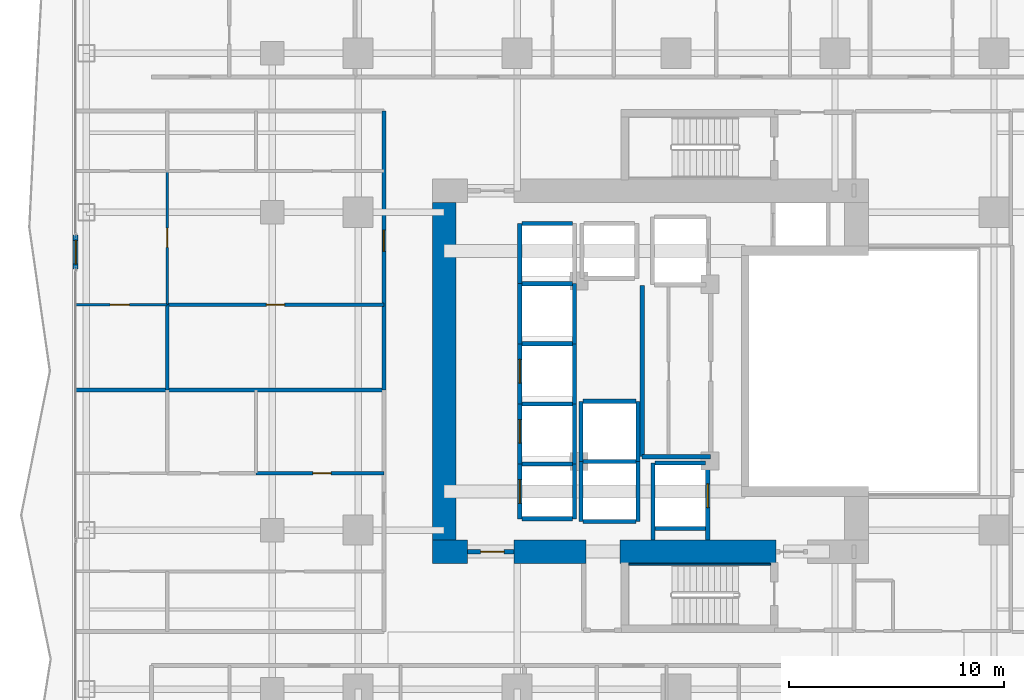
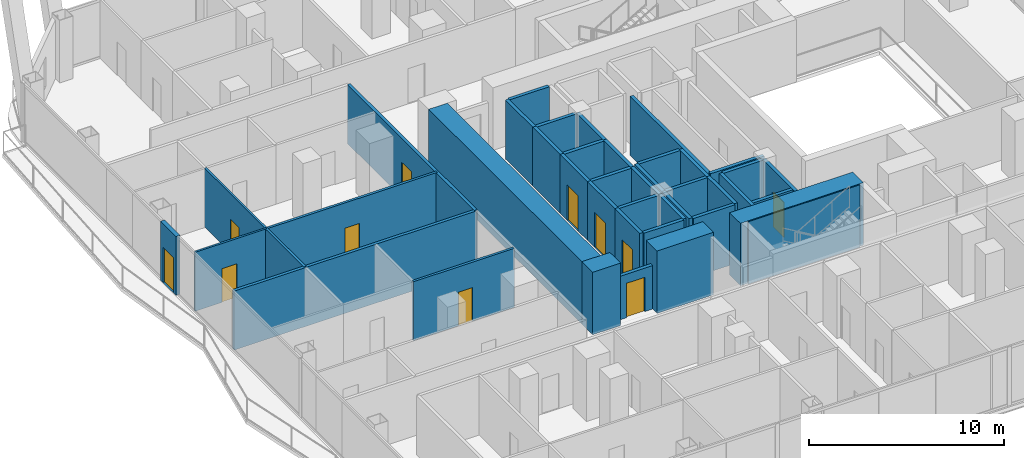
# One storey, part 24 of 33: 42 walls, 11 doors, 11 openings.
"""IFC4 building model written with IfcOpenShell, lengths in metres."""

from ifc_helpers import new_model, si_unit, direction, frame, frame_2d, origin, place, context, subcontext, project, spatial, rectangle, extrude, material, layer, layer_set, type_object, element, fill, save


model = new_model("IFC4")

# Units and contexts
model_context = context("Model", 3, precision=1e-05, world=origin(), true_north=direction((0.0, 1.0)))
body_context = subcontext(model_context, "Body", "Model", "MODEL_VIEW")
ifc_project = project(units=[si_unit("LENGTHUNIT", "METRE"), si_unit("AREAUNIT", "SQUARE_METRE"), si_unit("VOLUMEUNIT", "CUBIC_METRE"), si_unit("PLANEANGLEUNIT", "RADIAN"), si_unit("MASSUNIT", "GRAM", prefix="KILO")], contexts=[model_context])

# Site, building, storey
site_placement = place(None, origin())
site = spatial("IfcSite", under=ifc_project, at=site_placement, CompositionType="ELEMENT")
building_placement = place(site_placement, origin())
building = spatial("IfcBuilding", under=site, at=building_placement, Name="Khorvyn Point Tower", CompositionType="ELEMENT")
storey_placement = place(building_placement, frame((0.0, 0.0, 65.699951171875)))
storey = spatial("IfcBuildingStorey", under=building, at=storey_placement, Name="L17", CompositionType="ELEMENT", Elevation=65.699951171875)

# Wall, opening, door
ifc_material_1 = material(Name="Double acoustic gypsum on twin steel stud", Category="steel")
ifc_layer_1 = layer(ifc_material_1, 0.179931640625)
ifc_layer_set_1 = layer_set([ifc_layer_1], Name="Acoustic Double-Stud Apartment Demising Wall 180")
wall_type_1 = type_object("IfcWallType", Name="Acoustic Double-Stud Apartment Demising Wall 180", PredefinedType="PARTITIONING", material=ifc_layer_set_1)
wall_1_placement = place(storey_placement, frame((-13.60009765625, -0.873046875, 0.0), z_axis=(0.0, 0.0, 1.0), x_axis=(0.0, 1.0, 0.0)))
wall_1 = element("IfcWall", 1, at=wall_1_placement, inside=storey, type_object=wall_type_1, Name="Wall", PredefinedType="PARTITIONING", context=body_context, shape_type="SweptSolid", body=[
    extrude(rectangle(XDim=12.9931640625, YDim=0.179931640625, at=frame_2d((6.49658203125, 0.0))), origin(), (0.0, 0.0, 1.0), 3.679931640625),
])
opening_1_placement = place(wall_1_placement, frame((6.445556640625, 0.0, 0.0)))
opening_1 = element("IfcOpeningElement", 2, at=opening_1_placement, cuts=wall_1, Name="Opening ID-AP60", PredefinedType="OPENING", context=body_context, shape_type="SweptSolid", body=[
    extrude(rectangle(XDim=1.0, YDim=2.199951171875, at=frame_2d((0.5, 1.10009765625))), frame((0.0, 0.099853515625, 0.0), z_axis=(0.0, -1.0, 0.0), x_axis=(1.0, 0.0, 0.0)), (0.0, 0.0, 1.0), 0.199951171875),
])
ifc_material_2 = material(Name="Engineered hardwood fire-rated leaf", Category="wood")
door_type_1 = type_object("IfcDoorType", Name="Acoustic Solid-Core Timber Apartment Entrance Door 1000x2200", OperationType="NOTDEFINED", PredefinedType="DOOR", material=ifc_material_2)
door_1_placement = place(opening_1_placement, origin())
door_1 = element("IfcDoor", 3, at=door_1_placement, inside=storey, type_object=door_type_1, Name="Door", OperationType="SINGLE_SWING_RIGHT", OverallHeight=2.199951171875, OverallWidth=1.0, PredefinedType="DOOR", context=body_context, shape_type="SweptSolid", body=[
    extrude(rectangle(XDim=1.0, YDim=2.199951171875, at=frame_2d((0.5, 1.10009765625))), frame((0.0, 0.02490234375, 0.0), z_axis=(0.0, -1.0, 0.0), x_axis=(1.0, 0.0, 0.0)), (0.0, 0.0, 1.0), 0.050048828125),
])
fill(opening_1, door_1)

# Wall
wall_2_placement = place(storey_placement, frame((-27.929931640625, -0.873046875, 0.0), z_axis=(0.0, 0.0, 1.0), x_axis=(1.0, 0.0, 0.0)))
element("IfcWall", 4, at=wall_2_placement, inside=storey, type_object=wall_type_1, Name="Wall", PredefinedType="PARTITIONING", context=body_context, shape_type="SweptSolid", body=[
    extrude(rectangle(XDim=14.329833984375, YDim=0.179931640625, at=frame_2d((7.1650390625, 0.0))), origin(), (0.0, 0.0, 1.0), 3.679931640625),
])

# Wall, opening, door
ifc_material_3 = material(Name="Pale anodised aluminium rainscreen on steel stud", Category="steel")
ifc_layer_2 = layer(ifc_material_3, 0.239990234375)
ifc_layer_set_2 = layer_set([ifc_layer_2], Name="Anodised Aluminium Insulated Corner Spandrel Wall 240")
wall_type_2 = type_object("IfcWallType", Name="Anodised Aluminium Insulated Corner Spandrel Wall 240", PredefinedType="SOLIDWALL", material=ifc_layer_set_2)
wall_3_placement = place(storey_placement, frame((-27.949951171875, 4.7490234375, 0.0), z_axis=(0.0, 0.0, 1.0), x_axis=(0.0, 1.0, 0.0)))
wall_3 = element("IfcWall", 5, at=wall_3_placement, inside=storey, type_object=wall_type_2, Name="L17 West Outdoor Threshold Wall", PredefinedType="SOLIDWALL", context=body_context, shape_type="SweptSolid", body=[
    extrude(rectangle(XDim=1.580078125, YDim=0.239990234375, at=frame_2d((0.7900390625, 0.0))), origin(), (0.0, 0.0, 1.0), 3.679931640625),
])
opening_2_placement = place(wall_3_placement, frame((0.239990234375, 0.0, 0.0)))
opening_2 = element("IfcOpeningElement", 6, at=opening_2_placement, cuts=wall_3, Name="Opening BD-1122", PredefinedType="OPENING", context=body_context, shape_type="SweptSolid", body=[
    extrude(rectangle(XDim=1.10009765625, YDim=2.199951171875, at=frame_2d((0.550048828125, 1.10009765625))), frame((0.0, 0.1298828125, 0.0), z_axis=(0.0, -1.0, 0.0), x_axis=(1.0, 0.0, 0.0)), (0.0, 0.0, 1.0), 0.260009765625),
])
ifc_material_4 = material(Name="Anodised aluminium 6063-T6 and laminated Low-E glass", Category="aluminium")
door_type_2 = type_object("IfcDoorType", Name="Glazed Balcony and Terrace Threshold Door 1100x2200", OperationType="NOTDEFINED", PredefinedType="DOOR", material=ifc_material_4)
door_2_placement = place(opening_2_placement, origin())
door_2 = element("IfcDoor", 7, at=door_2_placement, inside=storey, type_object=door_type_2, Name="L17 West Glazed Balcony Outdoor Door", OperationType="SINGLE_SWING_RIGHT", OverallHeight=2.199951171875, OverallWidth=1.10009765625, PredefinedType="DOOR", context=body_context, shape_type="SweptSolid", body=[
    extrude(rectangle(XDim=1.10009765625, YDim=2.199951171875, at=frame_2d((0.550048828125, 1.10009765625))), frame((0.0, 0.02490234375, 0.0), z_axis=(0.0, -1.0, 0.0), x_axis=(1.0, 0.0, 0.0)), (0.0, 0.0, 1.0), 0.050048828125),
])
fill(opening_2, door_2)

ifc_material_5 = material(Name="Concrete C40/50", Category="concrete")
ifc_layer_3 = layer(ifc_material_5, 0.199951171875)
ifc_layer_set_3 = layer_set([ifc_layer_3], Name="Concrete C40/50 Fire-Lobby Compartment Wall 200")
wall_type_3 = type_object("IfcWallType", Name="Concrete C40/50 Fire-Lobby Compartment Wall 200", PredefinedType="SOLIDWALL", material=ifc_layer_set_3)
wall_4_placement = place(storey_placement, frame((-9.699951171875, -8.39990234375, 0.0), z_axis=(0.0, 0.0, 1.0), x_axis=(1.0, 0.0, 0.0)))
wall_4 = element("IfcWall", 8, at=wall_4_placement, inside=storey, type_object=wall_type_3, Name="Wall", PredefinedType="SOLIDWALL", context=body_context, shape_type="SweptSolid", body=[
    extrude(rectangle(XDim=2.14990234375, YDim=0.199951171875, at=frame_2d((1.074951171875, 0.0))), origin(), (0.0, 0.0, 1.0), 2.719970703125),
])
opening_3_placement = place(wall_4_placement, frame((0.597900390625, 0.0, 0.0)))
opening_3 = element("IfcOpeningElement", 9, at=opening_3_placement, cuts=wall_4, Name="Opening ID-FL90", PredefinedType="OPENING", context=body_context, shape_type="SweptSolid", body=[
    extrude(rectangle(XDim=1.10009765625, YDim=2.14990234375, at=frame_2d((0.550048828125, 1.074951171875))), frame((0.0, 0.10986328125, 0.0), z_axis=(0.0, -1.0, 0.0), x_axis=(1.0, 0.0, 0.0)), (0.0, 0.0, 1.0), 0.219970703125),
])
ifc_material_6 = material(Name="Galvanised powder-coated steel", Category="steel")
door_type_3 = type_object("IfcDoorType", Name="Fire-Rated Steel Lobby and Stair Door 1100x2150", OperationType="NOTDEFINED", PredefinedType="DOOR", material=ifc_material_6)
door_3_placement = place(opening_3_placement, origin())
door_3 = element("IfcDoor", 10, at=door_3_placement, inside=storey, type_object=door_type_3, Name="Door", OperationType="SINGLE_SWING_RIGHT", OverallHeight=2.14990234375, OverallWidth=1.10009765625, PredefinedType="DOOR", context=body_context, shape_type="SweptSolid", body=[
    extrude(rectangle(XDim=1.10009765625, YDim=2.14990234375, at=frame_2d((0.550048828125, 1.074951171875))), frame((0.0, 0.02490234375, 0.0), z_axis=(0.0, -1.0, 0.0), x_axis=(1.0, 0.0, 0.0)), (0.0, 0.0, 1.0), 0.050048828125),
])
fill(opening_3, door_3)

# Walls
wall_5_placement = place(storey_placement, frame((-1.580078125, -3.97998046875, 0.0), z_axis=(0.0, 0.0, 1.0), x_axis=(0.0, 1.0, 0.0)))
element("IfcWall", 11, at=wall_5_placement, inside=storey, type_object=wall_type_3, Name="Wall", PredefinedType="SOLIDWALL", context=body_context, shape_type="SweptSolid", body=[
    extrude(rectangle(XDim=7.9599609375, YDim=0.199951171875, at=frame_2d((3.97998046875, 0.0))), origin(), (0.0, 0.0, 1.0), 3.679931640625),
])
wall_6_placement = place(storey_placement, frame((-1.580078125, -3.97998046875, 0.0), z_axis=(0.0, 0.0, 1.0), x_axis=(1.0, 0.0, 0.0)))
element("IfcWall", 12, at=wall_6_placement, inside=storey, type_object=wall_type_3, Name="Wall", PredefinedType="SOLIDWALL", context=body_context, shape_type="SweptSolid", body=[
    extrude(rectangle(XDim=3.190185546875, YDim=0.199951171875, at=frame_2d((1.59521484375, 0.0))), origin(), (0.0, 0.0, 1.0), 3.679931640625),
])
ifc_layer_4 = layer(ifc_material_5, 0.25)
ifc_layer_set_4 = layer_set([ifc_layer_4], Name="Concrete C40/50 Stair Inner Cheek Structural Wall 250")
wall_type_4 = type_object("IfcWallType", Name="Concrete C40/50 Stair Inner Cheek Structural Wall 250", PredefinedType="SHEAR", material=ifc_layer_set_4)
wall_7_placement = place(storey_placement, frame((-2.199951171875, -8.987548828125, 0.0), z_axis=(0.0, 0.0, 1.0), x_axis=(1.0, 0.0, 0.0)))
element("IfcWall", 13, at=wall_7_placement, inside=storey, type_object=wall_type_4, Name="Wall", PredefinedType="SHEAR", context=body_context, shape_type="SweptSolid", body=[
    extrude(rectangle(XDim=6.599853515625, YDim=0.074951171875, at=frame_2d((3.2998046875, 0.0))), origin(), (0.0, 0.0, 1.0), 3.900146484375),
])

# Wall, opening, door
ifc_layer_5 = layer(ifc_material_5, 0.199951171875)
ifc_layer_set_5 = layer_set([ifc_layer_5], Name="Concrete C40/50 Structural Hoistway and Stair Shaft Wall 200")
wall_type_5 = type_object("IfcWallType", Name="Concrete C40/50 Structural Hoistway and Stair Shaft Wall 200", PredefinedType="SHEAR", material=ifc_layer_set_5)
wall_8_placement = place(storey_placement, frame((-7.27490234375, -6.875, 0.0), z_axis=(0.0, 0.0, 1.0), x_axis=(0.0, 1.0, 0.0)))
wall_8 = element("IfcWall", 14, at=wall_8_placement, inside=storey, type_object=wall_type_5, Name="Wall", PredefinedType="SHEAR", context=body_context, shape_type="SweptSolid", body=[
    extrude(rectangle(XDim=2.550048828125, YDim=0.199951171875, at=frame_2d((1.27490234375, 0.0))), origin(), (0.0, 0.0, 1.0), 3.679931640625),
])
opening_4_placement = place(wall_8_placement, frame((0.72509765625, 0.0, 0.0)))
opening_4 = element("IfcOpeningElement", 15, at=opening_4_placement, cuts=wall_8, Name="Opening LD-1122", PredefinedType="OPENING", context=body_context, shape_type="SweptSolid", body=[
    extrude(rectangle(XDim=1.10009765625, YDim=2.199951171875, at=frame_2d((0.550048828125, 1.10009765625))), frame((0.0, 0.10986328125, 0.0), z_axis=(0.0, -1.0, 0.0), x_axis=(1.0, 0.0, 0.0)), (0.0, 0.0, 1.0), 0.219970703125),
])
ifc_material_7 = material(Name="Stainless steel 1.4301", Category="steel")
door_type_4 = type_object("IfcDoorType", Name="Stainless Steel Automatic Sliding Lift Landing Door 1100x2200", OperationType="SLIDING_TO_LEFT", PredefinedType="DOOR", material=ifc_material_7)
door_4_placement = place(opening_4_placement, origin())
door_4 = element("IfcDoor", 16, at=door_4_placement, inside=storey, type_object=door_type_4, Name="L17 RL-01 Sliding Lift Landing Door", OperationType="SLIDING_TO_LEFT", OverallHeight=2.199951171875, OverallWidth=1.10009765625, PredefinedType="DOOR", context=body_context, shape_type="SweptSolid", body=[
    extrude(rectangle(XDim=1.10009765625, YDim=2.199951171875, at=frame_2d((0.550048828125, 1.10009765625))), frame((0.0, 0.02490234375, 0.0), z_axis=(0.0, -1.0, 0.0), x_axis=(1.0, 0.0, 0.0)), (0.0, 0.0, 1.0), 0.050048828125),
])
fill(opening_4, door_4)

# Walls
wall_9_placement = place(storey_placement, frame((-4.72509765625, -6.875, 0.0), z_axis=(0.0, 0.0, 1.0), x_axis=(0.0, 1.0, 0.0)))
element("IfcWall", 17, at=wall_9_placement, inside=storey, type_object=wall_type_5, Name="Wall", PredefinedType="SHEAR", context=body_context, shape_type="SweptSolid", body=[
    extrude(rectangle(XDim=2.550048828125, YDim=0.199951171875, at=frame_2d((1.27490234375, 0.0))), origin(), (0.0, 0.0, 1.0), 3.679931640625),
])
for number, where, z_axis, x_axis, name in (
    (18, (-7.175048828125, -6.875, 0.0), (0.0, 0.0, 1.0), (1.0, 0.0, 0.0), "Wall"),
    (19, (-7.175048828125, -4.324951171875, 0.0), (0.0, 0.0, 1.0), (1.0, 0.0, 0.0), "Wall"),
):
    element("IfcWall", number, at=place(storey_placement, frame(where, z_axis=z_axis, x_axis=x_axis)), inside=storey, type_object=wall_type_5, Name=name, PredefinedType="SHEAR", context=body_context, shape_type="SweptSolid", body=[
        extrude(rectangle(XDim=2.35009765625, YDim=0.199951171875, at=frame_2d((1.175048828125, 0.0))), origin(), (0.0, 0.0, 1.0), 3.679931640625),
    ])

# Wall, opening, door
wall_10_placement = place(storey_placement, frame((-7.27490234375, -4.324951171875, 0.0), z_axis=(0.0, 0.0, 1.0), x_axis=(0.0, 1.0, 0.0)))
wall_10 = element("IfcWall", 20, at=wall_10_placement, inside=storey, type_object=wall_type_5, Name="Wall", PredefinedType="SHEAR", context=body_context, shape_type="SweptSolid", body=[
    extrude(rectangle(XDim=2.800048828125, YDim=0.199951171875, at=frame_2d((1.39990234375, 0.0))), origin(), (0.0, 0.0, 1.0), 3.679931640625),
])
opening_5_placement = place(wall_10_placement, frame((0.97509765625, 0.0, 0.0)))
opening_5 = element("IfcOpeningElement", 21, at=opening_5_placement, cuts=wall_10, Name="Opening LD-1122", PredefinedType="OPENING", context=body_context, shape_type="SweptSolid", body=[
    extrude(rectangle(XDim=1.10009765625, YDim=2.199951171875, at=frame_2d((0.550048828125, 1.10009765625))), frame((0.0, 0.10986328125, 0.0), z_axis=(0.0, -1.0, 0.0), x_axis=(1.0, 0.0, 0.0)), (0.0, 0.0, 1.0), 0.219970703125),
])
door_5_placement = place(opening_5_placement, origin())
door_5 = element("IfcDoor", 22, at=door_5_placement, inside=storey, type_object=door_type_4, Name="L17 RL-02 Sliding Lift Landing Door", OperationType="SLIDING_TO_LEFT", OverallHeight=2.199951171875, OverallWidth=1.10009765625, PredefinedType="DOOR", context=body_context, shape_type="SweptSolid", body=[
    extrude(rectangle(XDim=1.10009765625, YDim=2.199951171875, at=frame_2d((0.550048828125, 1.10009765625))), frame((0.0, 0.02490234375, 0.0), z_axis=(0.0, -1.0, 0.0), x_axis=(1.0, 0.0, 0.0)), (0.0, 0.0, 1.0), 0.050048828125),
])
fill(opening_5, door_5)

# Walls
wall_11_placement = place(storey_placement, frame((-4.72509765625, -4.324951171875, 0.0), z_axis=(0.0, 0.0, 1.0), x_axis=(0.0, 1.0, 0.0)))
element("IfcWall", 23, at=wall_11_placement, inside=storey, type_object=wall_type_5, Name="Wall", PredefinedType="SHEAR", context=body_context, shape_type="SweptSolid", body=[
    extrude(rectangle(XDim=2.800048828125, YDim=0.199951171875, at=frame_2d((1.39990234375, 0.0))), origin(), (0.0, 0.0, 1.0), 3.679931640625),
])
wall_12_placement = place(storey_placement, frame((-7.175048828125, -1.52490234375, 0.0), z_axis=(0.0, 0.0, 1.0), x_axis=(1.0, 0.0, 0.0)))
element("IfcWall", 24, at=wall_12_placement, inside=storey, type_object=wall_type_5, Name="Wall", PredefinedType="SHEAR", context=body_context, shape_type="SweptSolid", body=[
    extrude(rectangle(XDim=2.35009765625, YDim=0.199951171875, at=frame_2d((1.175048828125, 0.0))), origin(), (0.0, 0.0, 1.0), 3.679931640625),
])

# Wall, opening, door
wall_13_placement = place(storey_placement, frame((-7.27490234375, -1.52490234375, 0.0), z_axis=(0.0, 0.0, 1.0), x_axis=(0.0, 1.0, 0.0)))
wall_13 = element("IfcWall", 25, at=wall_13_placement, inside=storey, type_object=wall_type_5, Name="Wall", PredefinedType="SHEAR", context=body_context, shape_type="SweptSolid", body=[
    extrude(rectangle(XDim=2.7998046875, YDim=0.199951171875, at=frame_2d((1.39990234375, 0.0))), origin(), (0.0, 0.0, 1.0), 3.679931640625),
])
opening_6_placement = place(wall_13_placement, frame((0.97509765625, 0.0, 0.0)))
opening_6 = element("IfcOpeningElement", 26, at=opening_6_placement, cuts=wall_13, Name="Opening LD-1122", PredefinedType="OPENING", context=body_context, shape_type="SweptSolid", body=[
    extrude(rectangle(XDim=1.10009765625, YDim=2.199951171875, at=frame_2d((0.550048828125, 1.10009765625))), frame((0.0, 0.10986328125, 0.0), z_axis=(0.0, -1.0, 0.0), x_axis=(1.0, 0.0, 0.0)), (0.0, 0.0, 1.0), 0.219970703125),
])
door_6_placement = place(opening_6_placement, origin())
door_6 = element("IfcDoor", 27, at=door_6_placement, inside=storey, type_object=door_type_4, Name="L17 RL-03 Sliding Lift Landing Door", OperationType="SLIDING_TO_LEFT", OverallHeight=2.199951171875, OverallWidth=1.10009765625, PredefinedType="DOOR", context=body_context, shape_type="SweptSolid", body=[
    extrude(rectangle(XDim=1.10009765625, YDim=2.199951171875, at=frame_2d((0.550048828125, 1.10009765625))), frame((0.0, 0.02490234375, 0.0), z_axis=(0.0, -1.0, 0.0), x_axis=(1.0, 0.0, 0.0)), (0.0, 0.0, 1.0), 0.050048828125),
])
fill(opening_6, door_6)

# Walls
wall_14_placement = place(storey_placement, frame((-4.72509765625, -1.52490234375, 0.0), z_axis=(0.0, 0.0, 1.0), x_axis=(0.0, 1.0, 0.0)))
element("IfcWall", 28, at=wall_14_placement, inside=storey, type_object=wall_type_5, Name="Wall", PredefinedType="SHEAR", context=body_context, shape_type="SweptSolid", body=[
    extrude(rectangle(XDim=2.7998046875, YDim=0.199951171875, at=frame_2d((1.39990234375, 0.0))), origin(), (0.0, 0.0, 1.0), 3.679931640625),
])
wall_15_placement = place(storey_placement, frame((-7.175048828125, 1.27490234375, 0.0), z_axis=(0.0, 0.0, 1.0), x_axis=(1.0, 0.0, 0.0)))
element("IfcWall", 29, at=wall_15_placement, inside=storey, type_object=wall_type_5, Name="Wall", PredefinedType="SHEAR", context=body_context, shape_type="SweptSolid", body=[
    extrude(rectangle(XDim=2.35009765625, YDim=0.199951171875, at=frame_2d((1.175048828125, 0.0))), origin(), (0.0, 0.0, 1.0), 3.679931640625),
])
for number, where, z_axis, x_axis, name in (
    (30, (-7.27490234375, 1.27490234375, 0.0), (0.0, 0.0, 1.0), (0.0, 1.0, 0.0), "Wall"),
    (31, (-4.72509765625, 1.27490234375, 0.0), (0.0, 0.0, 1.0), (0.0, 1.0, 0.0), "Wall"),
):
    element("IfcWall", number, at=place(storey_placement, frame(where, z_axis=z_axis, x_axis=x_axis)), inside=storey, type_object=wall_type_5, Name=name, PredefinedType="SHEAR", context=body_context, shape_type="SweptSolid", body=[
        extrude(rectangle(XDim=2.800048828125, YDim=0.199951171875, at=frame_2d((1.39990234375, 0.0))), origin(), (0.0, 0.0, 1.0), 3.679931640625),
    ])
wall_16_placement = place(storey_placement, frame((-7.175048828125, 4.074951171875, 0.0), z_axis=(0.0, 0.0, 1.0), x_axis=(1.0, 0.0, 0.0)))
element("IfcWall", 32, at=wall_16_placement, inside=storey, type_object=wall_type_5, Name="Wall", PredefinedType="SHEAR", context=body_context, shape_type="SweptSolid", body=[
    extrude(rectangle(XDim=2.35009765625, YDim=0.199951171875, at=frame_2d((1.175048828125, 0.0))), origin(), (0.0, 0.0, 1.0), 3.679931640625),
])
wall_17_placement = place(storey_placement, frame((-7.27490234375, 4.074951171875, 0.0), z_axis=(0.0, 0.0, 1.0), x_axis=(0.0, 1.0, 0.0)))
element("IfcWall", 33, at=wall_17_placement, inside=storey, type_object=wall_type_5, Name="Wall", PredefinedType="SHEAR", context=body_context, shape_type="SweptSolid", body=[
    extrude(rectangle(XDim=2.800048828125, YDim=0.199951171875, at=frame_2d((1.39990234375, 0.0))), origin(), (0.0, 0.0, 1.0), 3.679931640625),
])
wall_18_placement = place(storey_placement, frame((-7.175048828125, 6.875, 0.0), z_axis=(0.0, 0.0, 1.0), x_axis=(1.0, 0.0, 0.0)))
element("IfcWall", 34, at=wall_18_placement, inside=storey, type_object=wall_type_5, Name="Wall", PredefinedType="SHEAR", context=body_context, shape_type="SweptSolid", body=[
    extrude(rectangle(XDim=2.35009765625, YDim=0.199951171875, at=frame_2d((1.175048828125, 0.0))), origin(), (0.0, 0.0, 1.0), 3.679931640625),
])
for number, where, z_axis, x_axis, name in (
    (35, (-4.425048828125, -7.0, 0.0), (0.0, 0.0, 1.0), (0.0, 1.0, 0.0), "Wall"),
    (36, (-1.77490234375, -7.0, 0.0), (0.0, 0.0, 1.0), (0.0, 1.0, 0.0), "Wall"),
):
    element("IfcWall", number, at=place(storey_placement, frame(where, z_axis=z_axis, x_axis=x_axis)), inside=storey, type_object=wall_type_5, Name=name, PredefinedType="SHEAR", context=body_context, shape_type="SweptSolid", body=[
        extrude(rectangle(XDim=2.800048828125, YDim=0.199951171875, at=frame_2d((1.39990234375, 0.0))), origin(), (0.0, 0.0, 1.0), 3.679931640625),
    ])
for number, where, z_axis, x_axis, name in (
    (37, (-4.324951171875, -7.0, 0.0), (0.0, 0.0, 1.0), (1.0, 0.0, 0.0), "Wall"),
    (38, (-4.324951171875, -4.199951171875, 0.0), (0.0, 0.0, 1.0), (1.0, 0.0, 0.0), "Wall"),
):
    element("IfcWall", number, at=place(storey_placement, frame(where, z_axis=z_axis, x_axis=x_axis)), inside=storey, type_object=wall_type_5, Name=name, PredefinedType="SHEAR", context=body_context, shape_type="SweptSolid", body=[
        extrude(rectangle(XDim=2.449951171875, YDim=0.199951171875, at=frame_2d((1.22509765625, 0.0))), origin(), (0.0, 0.0, 1.0), 3.679931640625),
    ])
for number, where, z_axis, x_axis, name in (
    (39, (-4.425048828125, -4.199951171875, 0.0), (0.0, 0.0, 1.0), (0.0, 1.0, 0.0), "Wall"),
    (40, (-1.77490234375, -4.199951171875, 0.0), (0.0, 0.0, 1.0), (0.0, 1.0, 0.0), "Wall"),
):
    element("IfcWall", number, at=place(storey_placement, frame(where, z_axis=z_axis, x_axis=x_axis)), inside=storey, type_object=wall_type_5, Name=name, PredefinedType="SHEAR", context=body_context, shape_type="SweptSolid", body=[
        extrude(rectangle(XDim=2.800048828125, YDim=0.199951171875, at=frame_2d((1.39990234375, 0.0))), origin(), (0.0, 0.0, 1.0), 3.679931640625),
    ])
wall_19_placement = place(storey_placement, frame((-4.324951171875, -1.39990234375, 0.0), z_axis=(0.0, 0.0, 1.0), x_axis=(1.0, 0.0, 0.0)))
element("IfcWall", 41, at=wall_19_placement, inside=storey, type_object=wall_type_5, Name="Wall", PredefinedType="SHEAR", context=body_context, shape_type="SweptSolid", body=[
    extrude(rectangle(XDim=2.449951171875, YDim=0.199951171875, at=frame_2d((1.22509765625, 0.0))), origin(), (0.0, 0.0, 1.0), 3.679931640625),
])
wall_20_placement = place(storey_placement, frame((-1.074951171875, -7.85009765625, 0.0), z_axis=(0.0, 0.0, 1.0), x_axis=(0.0, 1.0, 0.0)))
element("IfcWall", 42, at=wall_20_placement, inside=storey, type_object=wall_type_5, Name="Wall", PredefinedType="SHEAR", context=body_context, shape_type="SweptSolid", body=[
    extrude(rectangle(XDim=3.5751953125, YDim=0.199951171875, at=frame_2d((1.78759765625, 0.0))), origin(), (0.0, 0.0, 1.0), 3.679931640625),
])

# Wall, opening, door
wall_21_placement = place(storey_placement, frame((1.47509765625, -7.85009765625, 0.0), z_axis=(0.0, 0.0, 1.0), x_axis=(0.0, 1.0, 0.0)))
wall_21 = element("IfcWall", 43, at=wall_21_placement, inside=storey, type_object=wall_type_5, Name="Wall", PredefinedType="SHEAR", context=body_context, shape_type="SweptSolid", body=[
    extrude(rectangle(XDim=3.5751953125, YDim=0.199951171875, at=frame_2d((1.78759765625, 0.0))), origin(), (0.0, 0.0, 1.0), 3.679931640625),
])
opening_7_placement = place(wall_21_placement, frame((1.5, 0.0, 0.0)))
opening_7 = element("IfcOpeningElement", 44, at=opening_7_placement, cuts=wall_21, Name="Opening LD-1122", PredefinedType="OPENING", context=body_context, shape_type="SweptSolid", body=[
    extrude(rectangle(XDim=1.10009765625, YDim=2.199951171875, at=frame_2d((0.550048828125, 1.10009765625))), frame((0.0, 0.10986328125, 0.0), z_axis=(0.0, -1.0, 0.0), x_axis=(1.0, 0.0, 0.0)), (0.0, 0.0, 1.0), 0.219970703125),
])
door_7_placement = place(opening_7_placement, origin())
door_7 = element("IfcDoor", 45, at=door_7_placement, inside=storey, type_object=door_type_4, Name="L17 FF-01 Sliding Lift Landing Door", OperationType="SLIDING_TO_LEFT", OverallHeight=2.199951171875, OverallWidth=1.10009765625, PredefinedType="DOOR", context=body_context, shape_type="SweptSolid", body=[
    extrude(rectangle(XDim=1.10009765625, YDim=2.199951171875, at=frame_2d((0.550048828125, 1.10009765625))), frame((0.0, 0.02490234375, 0.0), z_axis=(0.0, -1.0, 0.0), x_axis=(1.0, 0.0, 0.0)), (0.0, 0.0, 1.0), 0.050048828125),
])
fill(opening_7, door_7)

# Walls
for number, where, z_axis, x_axis, name in (
    (46, (-0.97509765625, -7.324951171875, 0.0), (0.0, 0.0, 1.0), (1.0, 0.0, 0.0), "Wall"),
    (47, (-0.97509765625, -4.27490234375, 0.0), (0.0, 0.0, 1.0), (1.0, 0.0, 0.0), "Wall"),
):
    element("IfcWall", number, at=place(storey_placement, frame(where, z_axis=z_axis, x_axis=x_axis)), inside=storey, type_object=wall_type_5, Name=name, PredefinedType="SHEAR", context=body_context, shape_type="SweptSolid", body=[
        extrude(rectangle(XDim=2.35009765625, YDim=0.199951171875, at=frame_2d((1.175048828125, 0.0))), origin(), (0.0, 0.0, 1.0), 3.679931640625),
    ])
ifc_material_8 = material(Name="Concrete C50/60", Category="concrete")
ifc_layer_6 = layer(ifc_material_8, 1.10009765625)
ifc_layer_set_6 = layer_set([ifc_layer_6], Name="Concrete C50/60 Core Shear Wall 1100")
wall_type_6 = type_object("IfcWallType", Name="Concrete C50/60 Core Shear Wall 1100", PredefinedType="SHEAR", material=ifc_layer_set_6)
wall_22_placement = place(storey_placement, frame((-11.35009765625, -8.39990234375, 0.0), z_axis=(0.0, 0.0, 1.0), x_axis=(1.0, 0.0, 0.0)))
element("IfcWall", 48, at=wall_22_placement, inside=storey, type_object=wall_type_6, Name="Wall", PredefinedType="SHEAR", context=body_context, shape_type="SweptSolid", body=[
    extrude(rectangle(XDim=1.650146484375, YDim=1.10009765625, at=frame_2d((0.8251953125, 0.0))), origin(), (0.0, 0.0, 1.0), 3.900146484375),
])
wall_23_placement = place(storey_placement, frame((-7.550048828125, -8.39990234375, 0.0), z_axis=(0.0, 0.0, 1.0), x_axis=(1.0, 0.0, 0.0)))
element("IfcWall", 49, at=wall_23_placement, inside=storey, type_object=wall_type_6, Name="Wall", PredefinedType="SHEAR", context=body_context, shape_type="SweptSolid", body=[
    extrude(rectangle(XDim=3.35009765625, YDim=1.10009765625, at=frame_2d((1.675048828125, 0.0))), origin(), (0.0, 0.0, 1.0), 3.900146484375),
])
wall_24_placement = place(storey_placement, frame((-2.6201171875, -8.39990234375, 0.0), z_axis=(0.0, 0.0, 1.0), x_axis=(1.0, 0.0, 0.0)))
element("IfcWall", 50, at=wall_24_placement, inside=storey, type_object=wall_type_6, Name="Wall", PredefinedType="SHEAR", context=body_context, shape_type="SweptSolid", body=[
    extrude(rectangle(XDim=7.27001953125, YDim=1.10009765625, at=frame_2d((3.635009765625, 0.0))), origin(), (0.0, 0.0, 1.0), 3.900146484375),
])
wall_25_placement = place(storey_placement, frame((-10.800048828125, -7.85009765625, 0.0), z_axis=(0.0, 0.0, 1.0), x_axis=(0.0, 1.0, 0.0)))
element("IfcWall", 51, at=wall_25_placement, inside=storey, type_object=wall_type_6, Name="Wall", PredefinedType="SHEAR", context=body_context, shape_type="SweptSolid", body=[
    extrude(rectangle(XDim=15.7001953125, YDim=1.10009765625, at=frame_2d((7.85009765625, 0.0))), origin(), (0.0, 0.0, 1.0), 3.900146484375),
])

# Wall, opening, door
ifc_material_9 = material(Name="Gypsum plasterboard on steel stud", Category="steel")
ifc_layer_7 = layer(ifc_material_9, 0.1201171875)
ifc_layer_set_7 = layer_set([ifc_layer_7], Name="Gypsum Acoustic Stud Room Partition Wall 120")
wall_type_7 = type_object("IfcWallType", Name="Gypsum Acoustic Stud Room Partition Wall 120", PredefinedType="PARTITIONING", material=ifc_layer_set_7)
wall_26_placement = place(storey_placement, frame((-23.68994140625, 3.096923828125, 0.0), z_axis=(0.0, 0.0, 1.0), x_axis=(0.0, 1.0, 0.0)))
wall_26 = element("IfcWall", 52, at=wall_26_placement, inside=storey, type_object=wall_type_7, Name="Wall", PredefinedType="PARTITIONING", context=body_context, shape_type="SweptSolid", body=[
    extrude(rectangle(XDim=6.22314453125, YDim=0.1201171875, at=frame_2d((3.111572265625, 0.0))), origin(), (0.0, 0.0, 1.0), 3.679931640625),
])
opening_8_placement = place(wall_26_placement, frame((2.66162109375, 0.0, 0.0)))
opening_8 = element("IfcOpeningElement", 53, at=opening_8_placement, cuts=wall_26, Name="Opening ID-RM90", PredefinedType="OPENING", context=body_context, shape_type="SweptSolid", body=[
    extrude(rectangle(XDim=0.89990234375, YDim=2.10009765625, at=frame_2d((0.449951171875, 1.050048828125))), frame((0.0, 0.070068359375, 0.0), z_axis=(0.0, -1.0, 0.0), x_axis=(1.0, 0.0, 0.0)), (0.0, 0.0, 1.0), 0.14013671875),
])
ifc_material_10 = material(Name="Engineered oak veneer timber", Category="wood")
door_type_5 = type_object("IfcDoorType", Name="Flush Engineered Timber Room Door 900x2100", OperationType="NOTDEFINED", PredefinedType="DOOR", material=ifc_material_10)
door_8_placement = place(opening_8_placement, origin())
door_8 = element("IfcDoor", 54, at=door_8_placement, inside=storey, type_object=door_type_5, Name="Door", OperationType="SINGLE_SWING_LEFT", OverallHeight=2.10009765625, OverallWidth=0.89990234375, PredefinedType="DOOR", context=body_context, shape_type="SweptSolid", body=[
    extrude(rectangle(XDim=0.89990234375, YDim=2.10009765625, at=frame_2d((0.449951171875, 1.050048828125))), frame((0.0, 0.02490234375, 0.0), z_axis=(0.0, -1.0, 0.0), x_axis=(1.0, 0.0, 0.0)), (0.0, 0.0, 1.0), 0.050048828125),
])
fill(opening_8, door_8)

wall_27_placement = place(storey_placement, frame((-27.929931640625, 3.096923828125, 0.0), z_axis=(0.0, 0.0, 1.0), x_axis=(1.0, 0.0, 0.0)))
wall_27 = element("IfcWall", 55, at=wall_27_placement, inside=storey, type_object=wall_type_7, Name="Wall", PredefinedType="PARTITIONING", context=body_context, shape_type="SweptSolid", body=[
    extrude(rectangle(XDim=4.239990234375, YDim=0.1201171875, at=frame_2d((2.1201171875, 0.0))), origin(), (0.0, 0.0, 1.0), 3.679931640625),
])
opening_9_placement = place(wall_27_placement, frame((1.581298828125, 0.0, 0.0)))
opening_9 = element("IfcOpeningElement", 56, at=opening_9_placement, cuts=wall_27, Name="Opening ID-RM90", PredefinedType="OPENING", context=body_context, shape_type="SweptSolid", body=[
    extrude(rectangle(XDim=0.89990234375, YDim=2.10009765625, at=frame_2d((0.449951171875, 1.050048828125))), frame((0.0, 0.070068359375, 0.0), z_axis=(0.0, -1.0, 0.0), x_axis=(1.0, 0.0, 0.0)), (0.0, 0.0, 1.0), 0.14013671875),
])
door_9_placement = place(opening_9_placement, origin())
door_9 = element("IfcDoor", 57, at=door_9_placement, inside=storey, type_object=door_type_5, Name="Door", OperationType="SINGLE_SWING_LEFT", OverallHeight=2.10009765625, OverallWidth=0.89990234375, PredefinedType="DOOR", context=body_context, shape_type="SweptSolid", body=[
    extrude(rectangle(XDim=0.89990234375, YDim=2.10009765625, at=frame_2d((0.449951171875, 1.050048828125))), frame((0.0, 0.02490234375, 0.0), z_axis=(0.0, -1.0, 0.0), x_axis=(1.0, 0.0, 0.0)), (0.0, 0.0, 1.0), 0.050048828125),
])
fill(opening_9, door_9)

ifc_material_11 = material(Name="Moisture-resistant gypsum and cement board", Category="gypsum")
ifc_layer_8 = layer(ifc_material_11, 0.14990234375)
ifc_layer_set_8 = layer_set([ifc_layer_8], Name="Moisture-Resistant Wet-Room Partition Wall 150")
wall_type_8 = type_object("IfcWallType", Name="Moisture-Resistant Wet-Room Partition Wall 150", PredefinedType="PARTITIONING", material=ifc_layer_set_8)
wall_28_placement = place(storey_placement, frame((-19.552978515625, -4.7470703125, 0.0), z_axis=(0.0, 0.0, 1.0), x_axis=(1.0, 0.0, 0.0)))
wall_28 = element("IfcWall", 58, at=wall_28_placement, inside=storey, type_object=wall_type_8, Name="Wall", PredefinedType="PARTITIONING", context=body_context, shape_type="SweptSolid", body=[
    extrude(rectangle(XDim=5.952880859375, YDim=0.14990234375, at=frame_2d((2.9765625, 0.0))), origin(), (0.0, 0.0, 1.0), 3.679931640625),
])
opening_10_placement = place(wall_28_placement, frame((2.64013671875, 0.0, 0.0)))
opening_10 = element("IfcOpeningElement", 59, at=opening_10_placement, cuts=wall_28, Name="Opening ID-WC85", PredefinedType="OPENING", context=body_context, shape_type="SweptSolid", body=[
    extrude(rectangle(XDim=0.85009765625, YDim=2.10009765625, at=frame_2d((0.425048828125, 1.050048828125))), frame((0.0, 0.0849609375, 0.0), z_axis=(0.0, -1.0, 0.0), x_axis=(1.0, 0.0, 0.0)), (0.0, 0.0, 1.0), 0.169921875),
])
ifc_material_12 = material(Name="High-pressure laminate on moisture-resistant core", Category="wood")
door_type_6 = type_object("IfcDoorType", Name="Moisture-Resistant Accessible Washroom Door 850x2100", OperationType="NOTDEFINED", PredefinedType="DOOR", material=ifc_material_12)
door_10_placement = place(opening_10_placement, origin())
door_10 = element("IfcDoor", 60, at=door_10_placement, inside=storey, type_object=door_type_6, Name="Door", OperationType="SINGLE_SWING_RIGHT", OverallHeight=2.10009765625, OverallWidth=0.85009765625, PredefinedType="DOOR", context=body_context, shape_type="SweptSolid", body=[
    extrude(rectangle(XDim=0.85009765625, YDim=2.10009765625, at=frame_2d((0.425048828125, 1.050048828125))), frame((0.0, 0.02490234375, 0.0), z_axis=(0.0, -1.0, 0.0), x_axis=(1.0, 0.0, 0.0)), (0.0, 0.0, 1.0), 0.050048828125),
])
fill(opening_10, door_10)

wall_29_placement = place(storey_placement, frame((-23.68994140625, 3.096923828125, 0.0), z_axis=(0.0, 0.0, 1.0), x_axis=(1.0, 0.0, 0.0)))
wall_29 = element("IfcWall", 61, at=wall_29_placement, inside=storey, type_object=wall_type_8, Name="Wall", PredefinedType="PARTITIONING", context=body_context, shape_type="SweptSolid", body=[
    extrude(rectangle(XDim=10.08984375, YDim=0.14990234375, at=frame_2d((5.044921875, 0.0))), origin(), (0.0, 0.0, 1.0), 3.679931640625),
])
opening_11_placement = place(wall_29_placement, frame((4.6201171875, 0.0, 0.0)))
opening_11 = element("IfcOpeningElement", 62, at=opening_11_placement, cuts=wall_29, Name="Opening ID-WC85", PredefinedType="OPENING", context=body_context, shape_type="SweptSolid", body=[
    extrude(rectangle(XDim=0.85009765625, YDim=2.10009765625, at=frame_2d((0.425048828125, 1.050048828125))), frame((0.0, 0.0849609375, 0.0), z_axis=(0.0, -1.0, 0.0), x_axis=(1.0, 0.0, 0.0)), (0.0, 0.0, 1.0), 0.169921875),
])
door_11_placement = place(opening_11_placement, origin())
door_11 = element("IfcDoor", 63, at=door_11_placement, inside=storey, type_object=door_type_6, Name="Door", OperationType="SINGLE_SWING_RIGHT", OverallHeight=2.10009765625, OverallWidth=0.85009765625, PredefinedType="DOOR", context=body_context, shape_type="SweptSolid", body=[
    extrude(rectangle(XDim=0.85009765625, YDim=2.10009765625, at=frame_2d((0.425048828125, 1.050048828125))), frame((0.0, 0.02490234375, 0.0), z_axis=(0.0, -1.0, 0.0), x_axis=(1.0, 0.0, 0.0)), (0.0, 0.0, 1.0), 0.050048828125),
])
fill(opening_11, door_11)

# Wall
wall_30_placement = place(storey_placement, frame((-23.68994140625, -0.873046875, 0.0), z_axis=(0.0, 0.0, 1.0), x_axis=(0.0, 1.0, 0.0)))
element("IfcWall", 64, at=wall_30_placement, inside=storey, type_object=wall_type_8, Name="Wall", PredefinedType="PARTITIONING", context=body_context, shape_type="SweptSolid", body=[
    extrude(rectangle(XDim=3.969970703125, YDim=0.14990234375, at=frame_2d((1.98486328125, 0.0))), origin(), (0.0, 0.0, 1.0), 3.679931640625),
])

save(model, "model.ifc")
